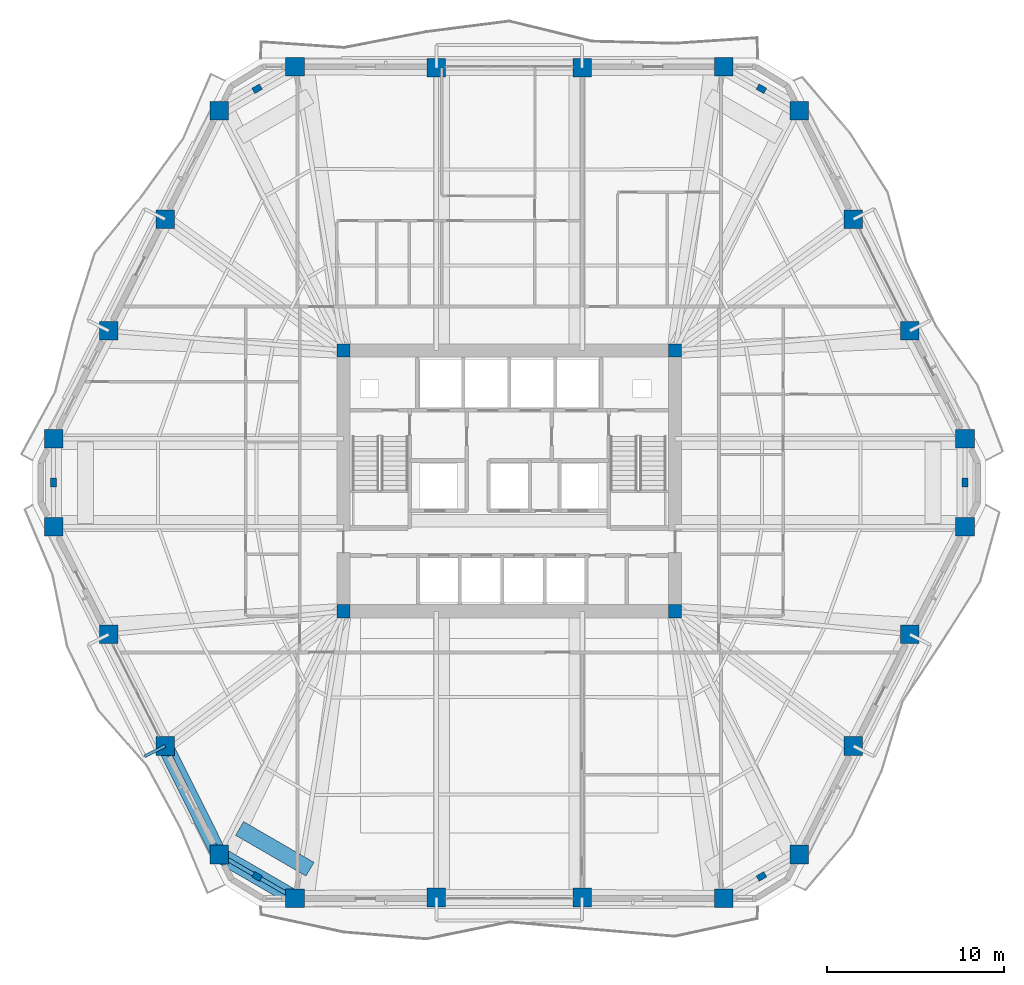
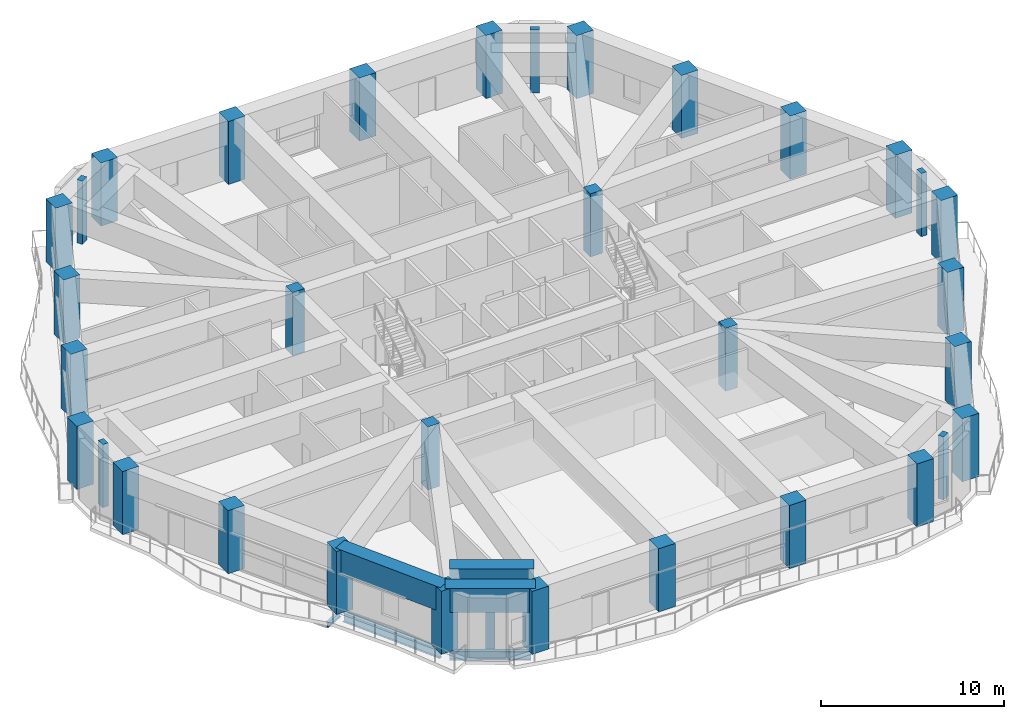
# One storey, part 1 of 23: 34 columns, 6 beams.
"""IFC4 building model written with IfcOpenShell, lengths in metres."""

from ifc_helpers import new_model, si_unit, direction, frame, origin, origin_2d, place, context, subcontext, project, spatial, rectangle, i_section, extrude, material, material_profile, profile_set, type_object, element, save


model = new_model("IFC4")

# Units and contexts
model_context = context("Model", 3, precision=1e-05, world=origin(), true_north=direction((0.0, 1.0)))
body_context = subcontext(model_context, "Body", "Model", "MODEL_VIEW")
ifc_project = project(units=[si_unit("LENGTHUNIT", "METRE"), si_unit("AREAUNIT", "SQUARE_METRE"), si_unit("VOLUMEUNIT", "CUBIC_METRE"), si_unit("PLANEANGLEUNIT", "RADIAN"), si_unit("MASSUNIT", "GRAM", prefix="KILO")], contexts=[model_context])

# Site, building, storey
site_placement = place(None, origin())
site = spatial("IfcSite", under=ifc_project, at=site_placement, CompositionType="ELEMENT")
building_placement = place(site_placement, origin())
building = spatial("IfcBuilding", under=site, at=building_placement, Name="Cinnabar Lancet Tower", CompositionType="ELEMENT")
storey_placement = place(building_placement, frame((0.0, 0.0, 94.199951171875)))
storey = spatial("IfcBuildingStorey", under=building, at=storey_placement, Name="L24", CompositionType="ELEMENT", Elevation=94.199951171875)

# Columns
ifc_material_1 = material(Name="Concrete C70/85", Category="concrete")
ifc_material_profile_1 = material_profile(ifc_material_1, rectangle(XDim=0.75, YDim=0.75, at=origin_2d()), Name="RC-COL 750x750")
ifc_profile_set_1 = profile_set([ifc_material_profile_1], Name="Concrete C70/85")
column_type_1 = type_object("IfcColumnType", Name="STR-COL-CORE-750", PredefinedType="COLUMN", material=ifc_profile_set_1)
for number, where, z_axis, x_axis, name in (
    (1, (23.02490234375, 18.52490234375, 0.0), (0.0, 0.0, 1.0), (1.0, 0.0, 0.0), "L24 Core Corner Column SW"),
    (2, (41.77490234375, 18.52490234375, 0.0), (0.0, 0.0, 1.0), (1.0, 0.0, 0.0), "L24 Core Corner Column SE"),
    (3, (41.77490234375, 33.27490234375, 0.0), (0.0, 0.0, 1.0), (1.0, 0.0, 0.0), "L24 Core Corner Column NE"),
    (4, (23.02490234375, 33.27490234375, 0.0), (0.0, 0.0, 1.0), (1.0, 0.0, 0.0), "L24 Core Corner Column NW"),
):
    element("IfcColumn", number, at=place(storey_placement, frame(where, z_axis=z_axis, x_axis=x_axis)), inside=storey, type_object=column_type_1, Name=name, PredefinedType="COLUMN", context=body_context, shape_type="SweptSolid", body=[
        extrude(rectangle(XDim=0.75, YDim=0.75, at=origin_2d()), origin(), (0.0, 0.0, 1.0), 4.199951171875),
    ])
ifc_material_2 = material(Name="Concrete C60/75", Category="concrete")
ifc_material_profile_2 = material_profile(ifc_material_2, rectangle(XDim=0.5, YDim=0.35009765625, at=origin_2d()), Name="RC-PIL 500x350")
ifc_profile_set_2 = profile_set([ifc_material_profile_2], Name="Concrete C60/75")
column_type_2 = type_object("IfcColumnType", Name="STR-COL-PIL-500", PredefinedType="PILASTER", material=ifc_profile_set_2)
for number, where, z_axis, x_axis, name in (
    (5, (18.139892578125, 3.531005859375, 0.0), (0.0, 0.0, 1.0), (0.865195182343, -0.501435236546, 0.0), "L24 Chamfered Corner Pilaster 1"),
    (6, (46.659912109375, 3.531005859375, 0.0), (0.0, 0.0, 1.0), (0.865195182343, 0.501435236546, 0.0), "L24 Chamfered Corner Pilaster 2"),
    (7, (58.16796875, 25.800048828125, 0.0), (0.0, 0.0, 1.0), (0.0, 1.0, 0.0), "L24 Chamfered Corner Pilaster 3"),
    (8, (46.659912109375, 48.069091796875, 0.0), (0.0, 0.0, 1.0), (-0.865195182343, 0.501435236546, 0.0), "L24 Chamfered Corner Pilaster 4"),
    (9, (18.139892578125, 48.069091796875, 0.0), (0.0, 0.0, 1.0), (-0.865195182343, -0.501435236546, 0.0), "L24 Chamfered Corner Pilaster 5"),
    (10, (6.632080078125, 25.800048828125, 0.0), (0.0, 0.0, 1.0), (0.0, -1.0, 0.0), "L24 Chamfered Corner Pilaster 6"),
):
    element("IfcColumn", number, at=place(storey_placement, frame(where, z_axis=z_axis, x_axis=x_axis)), inside=storey, type_object=column_type_2, Name=name, PredefinedType="PILASTER", context=body_context, shape_type="SweptSolid", body=[
        extrude(rectangle(XDim=0.5, YDim=0.35009765625, at=origin_2d()), origin(), (0.0, 0.0, 1.0), 4.199951171875),
    ])
ifc_material_3 = material(Name="Concrete C70/85", Category="concrete")
ifc_material_profile_3 = material_profile(ifc_material_3, rectangle(XDim=1.050048828125, YDim=1.050048828125, at=origin_2d()), Name="RC-COL 1050x1050")
ifc_profile_set_3 = profile_set([ifc_material_profile_3], Name="Concrete C70/85")
column_type_3 = type_object("IfcColumnType", Name="STR-COL-TUBE-1050", PredefinedType="COLUMN", material=ifc_profile_set_3)
for number, where, z_axis, x_axis, name in (
    (11, (20.282958984375, 2.2890625, 0.0), (0.0, 0.0, 1.0), (1.0, 0.0, 0.0), "L24 Perimeter Tube Column 1"),
    (12, (28.278076171875, 2.342041015625, 0.0), (0.0, 0.0, 1.0), (1.0, 0.0, 0.0), "L24 Perimeter Tube Column 2"),
    (13, (36.52197265625, 2.342041015625, 0.0), (0.0, 0.0, 1.0), (1.0, 0.0, 0.0), "L24 Perimeter Tube Column 3"),
    (14, (44.51708984375, 2.2890625, 0.0), (0.0, 0.0, 1.0), (1.0, 0.0, 0.0), "L24 Perimeter Tube Column 4"),
    (15, (48.802978515625, 4.77294921875, 0.0), (0.0, 0.0, 1.0), (1.0, 0.0, 0.0), "L24 Perimeter Tube Column 5"),
    (16, (51.85888671875, 10.908935546875, 0.0), (0.0, 0.0, 1.0), (1.0, 0.0, 0.0), "L24 Perimeter Tube Column 6"),
    (17, (55.0458984375, 17.219970703125, 0.0), (0.0, 0.0, 1.0), (1.0, 0.0, 0.0), "L24 Perimeter Tube Column 7"),
    (18, (58.16796875, 23.31396484375, 0.0), (0.0, 0.0, 1.0), (1.0, 0.0, 0.0), "L24 Perimeter Tube Column 8"),
    (19, (58.16796875, 28.285888671875, 0.0), (0.0, 0.0, 1.0), (1.0, 0.0, 0.0), "L24 Perimeter Tube Column 9"),
    (20, (55.0458984375, 34.3798828125, 0.0), (0.0, 0.0, 1.0), (1.0, 0.0, 0.0), "L24 Perimeter Tube Column 10"),
    (21, (51.85888671875, 40.69091796875, 0.0), (0.0, 0.0, 1.0), (1.0, 0.0, 0.0), "L24 Perimeter Tube Column 11"),
    (22, (48.802978515625, 46.826904296875, 0.0), (0.0, 0.0, 1.0), (1.0, 0.0, 0.0), "L24 Perimeter Tube Column 12"),
    (23, (44.51708984375, 49.31103515625, 0.0), (0.0, 0.0, 1.0), (1.0, 0.0, 0.0), "L24 Perimeter Tube Column 13"),
    (24, (36.52197265625, 49.258056640625, 0.0), (0.0, 0.0, 1.0), (1.0, 0.0, 0.0), "L24 Perimeter Tube Column 14"),
    (25, (28.278076171875, 49.258056640625, 0.0), (0.0, 0.0, 1.0), (1.0, 0.0, 0.0), "L24 Perimeter Tube Column 15"),
    (26, (20.282958984375, 49.31103515625, 0.0), (0.0, 0.0, 1.0), (1.0, 0.0, 0.0), "L24 Perimeter Tube Column 16"),
    (27, (15.9970703125, 46.826904296875, 0.0), (0.0, 0.0, 1.0), (1.0, 0.0, 0.0), "L24 Perimeter Tube Column 17"),
    (28, (12.94091796875, 40.69091796875, 0.0), (0.0, 0.0, 1.0), (1.0, 0.0, 0.0), "L24 Perimeter Tube Column 18"),
    (29, (9.75390625, 34.3798828125, 0.0), (0.0, 0.0, 1.0), (1.0, 0.0, 0.0), "L24 Perimeter Tube Column 19"),
    (30, (6.632080078125, 28.285888671875, 0.0), (0.0, 0.0, 1.0), (1.0, 0.0, 0.0), "L24 Perimeter Tube Column 20"),
    (31, (6.632080078125, 23.31396484375, 0.0), (0.0, 0.0, 1.0), (1.0, 0.0, 0.0), "L24 Perimeter Tube Column 21"),
    (32, (9.75390625, 17.219970703125, 0.0), (0.0, 0.0, 1.0), (1.0, 0.0, 0.0), "L24 Perimeter Tube Column 22"),
    (33, (12.94091796875, 10.908935546875, 0.0), (0.0, 0.0, 1.0), (1.0, 0.0, 0.0), "L24 Perimeter Tube Column 23"),
    (34, (15.9970703125, 4.77294921875, 0.0), (0.0, 0.0, 1.0), (1.0, 0.0, 0.0), "L24 Perimeter Tube Column 24"),
):
    element("IfcColumn", number, at=place(storey_placement, frame(where, z_axis=z_axis, x_axis=x_axis)), inside=storey, type_object=column_type_3, Name=name, PredefinedType="COLUMN", context=body_context, shape_type="SweptSolid", body=[
        extrude(rectangle(XDim=1.050048828125, YDim=1.050048828125, at=origin_2d()), origin(), (0.0, 0.0, 1.0), 4.199951171875),
    ])

# Beams
ifc_material_4 = material(Name="Concrete C70/85", Category="concrete")
ifc_material_profile_4 = material_profile(ifc_material_4, rectangle(XDim=0.89990234375, YDim=1.60009765625, at=origin_2d()), Name="RC-BG 900x1600")
ifc_profile_set_4 = profile_set([ifc_material_profile_4], Name="Concrete C70/85")
beam_type_1 = type_object("IfcBeamType", Name="STR-BM-BG-1600", PredefinedType="BEAM", material=ifc_profile_set_4)
beam_1_placement = place(storey_placement, frame((12.94091796875, 10.908935546875, 3.400146484375), z_axis=(0.445831191634, -0.895117058583, 0.0), x_axis=(0.895117058583, 0.445831191634, 0.0)))
element("IfcBeam", 35, at=beam_1_placement, inside=storey, type_object=beam_type_1, Name="L25 Setback Outer Ring Girder 23", PredefinedType="BEAM", context=body_context, shape_type="SweptSolid", body=[
    extrude(rectangle(XDim=0.89990234375, YDim=1.60009765625, at=origin_2d()), origin(), (0.0, 0.0, 1.0), 6.85498046875),
])
beam_2_placement = place(storey_placement, frame((15.9970703125, 4.77294921875, 3.400146484375), z_axis=(0.865200119829, -0.501426717126, 0.0), x_axis=(0.501426717126, 0.865200119829, 0.0)))
element("IfcBeam", 36, at=beam_2_placement, inside=storey, type_object=beam_type_1, Name="L25 Setback Outer Ring Girder 24", PredefinedType="BEAM", context=body_context, shape_type="SweptSolid", body=[
    extrude(rectangle(XDim=0.89990234375, YDim=1.60009765625, at=origin_2d()), origin(), (0.0, 0.0, 1.0), 4.95361328125),
])
beam_3_placement = place(storey_placement, frame((17.15087890625, 6.24609375, 3.400146484375), z_axis=(0.86516336001, -0.50149013998, 0.0), x_axis=(0.50149013998, 0.86516336001, 0.0)))
element("IfcBeam", 37, at=beam_3_placement, inside=storey, type_object=beam_type_1, Name="L25 Setback Pilaster Transfer Chord 1", PredefinedType="BEAM", context=body_context, shape_type="SweptSolid", body=[
    extrude(rectangle(XDim=0.89990234375, YDim=1.60009765625, at=origin_2d()), origin(), (0.0, 0.0, 1.0), 4.6005859375),
])
ifc_material_5 = material(Name="Structural steel S355", Category="steel")
ifc_material_profile_5 = material_profile(ifc_material_5, i_section(OverallWidth=0.228271484375, OverallDepth=0.607666015625, WebThickness=0.010986328125, FlangeThickness=0.017333984375, FilletRadius=0.0126953125, at=origin_2d()), Name="UKB 610x229x113")
ifc_profile_set_5 = profile_set([ifc_material_profile_5], Name="Structural steel S355")
beam_type_2 = type_object("IfcBeamType", Name="STR-BM-SPN-610", PredefinedType="SPANDREL", material=ifc_profile_set_5)
beam_4_placement = place(storey_placement, frame((13.052001953125, 10.68505859375, -0.52392578125), z_axis=(0.445953050023, -0.89505635419, 0.0), x_axis=(0.89505635419, 0.445953050023, 0.0)))
element("IfcBeam", 38, at=beam_4_placement, inside=storey, type_object=beam_type_2, Name="L24 Perimeter Spandrel 23", PredefinedType="SPANDREL", context=body_context, shape_type="SweptSolid", body=[
    extrude(i_section(OverallWidth=0.228271484375, OverallDepth=0.607666015625, WebThickness=0.010986328125, FlangeThickness=0.017333984375, FilletRadius=0.0126953125, at=origin_2d()), origin(), (0.0, 0.0, 1.0), 6.35498046875),
])
beam_5_placement = place(storey_placement, frame((16.212890625, 4.64794921875, -0.52392578125), z_axis=(0.865171017323, -0.501476929463, 0.0), x_axis=(0.501476929463, 0.865171017323, 0.0)))
element("IfcBeam", 39, at=beam_5_placement, inside=storey, type_object=beam_type_2, Name="L24 Perimeter Spandrel 24", PredefinedType="SPANDREL", context=body_context, shape_type="SweptSolid", body=[
    extrude(i_section(OverallWidth=0.228271484375, OverallDepth=0.607666015625, WebThickness=0.010986328125, FlangeThickness=0.017333984375, FilletRadius=0.0126953125, at=origin_2d()), origin(), (0.0, 0.0, 1.0), 4.45458984375),
])
ifc_material_6 = material(Name="Structural steel S355", Category="steel")
ifc_material_profile_6 = material_profile(ifc_material_6, i_section(OverallWidth=0.17138671875, OverallDepth=0.35498046875, WebThickness=0.00732421875, FlangeThickness=0.011474609375, FilletRadius=0.01025390625, at=origin_2d()), Name="UKB 356x171x51")
ifc_profile_set_6 = profile_set([ifc_material_profile_6], Name="Structural steel S355")
beam_type_3 = type_object("IfcBeamType", Name="STR-BM-WAV-OUT", PredefinedType="BEAM", material=ifc_profile_set_6)
beam_6_placement = place(storey_placement, frame((12.94091796875, 10.908935546875, -0.41796875), z_axis=(-0.89227592947, -0.451490493464, 0.0), x_axis=(0.451490493464, -0.89227592947, 0.0)))
element("IfcBeam", 40, at=beam_6_placement, inside=storey, type_object=beam_type_3, Name="L24 Face 6 Balcony Outlooker B", PredefinedType="BEAM", context=body_context, shape_type="SweptSolid", body=[
    extrude(i_section(OverallWidth=0.17138671875, OverallDepth=0.35498046875, WebThickness=0.00732421875, FlangeThickness=0.011474609375, FilletRadius=0.01025390625, at=origin_2d()), origin(), (0.0, 0.0, 1.0), 1.300048828125),
])

save(model, "model.ifc")
